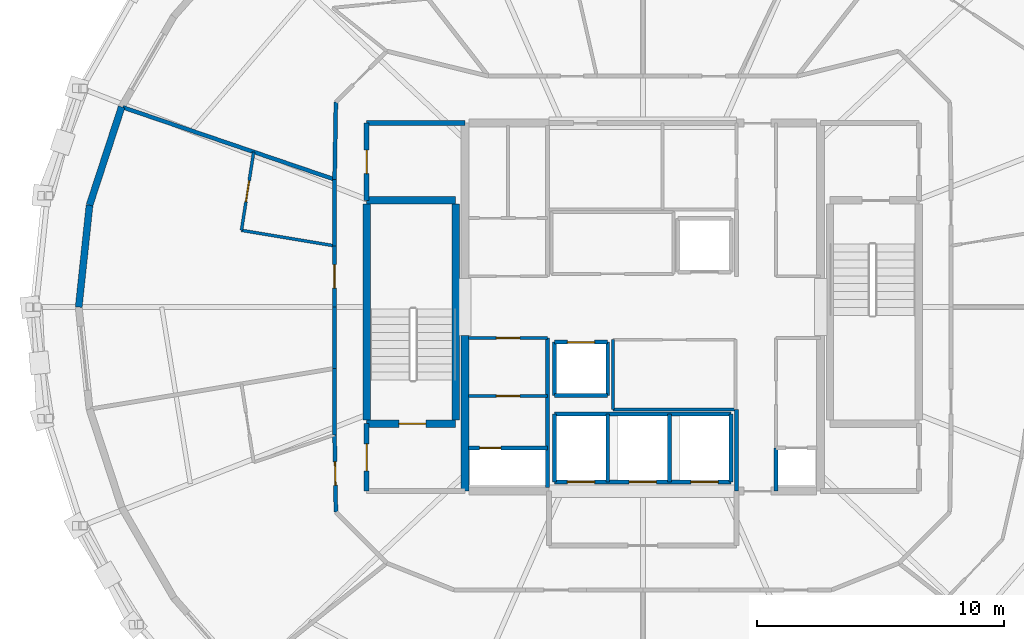
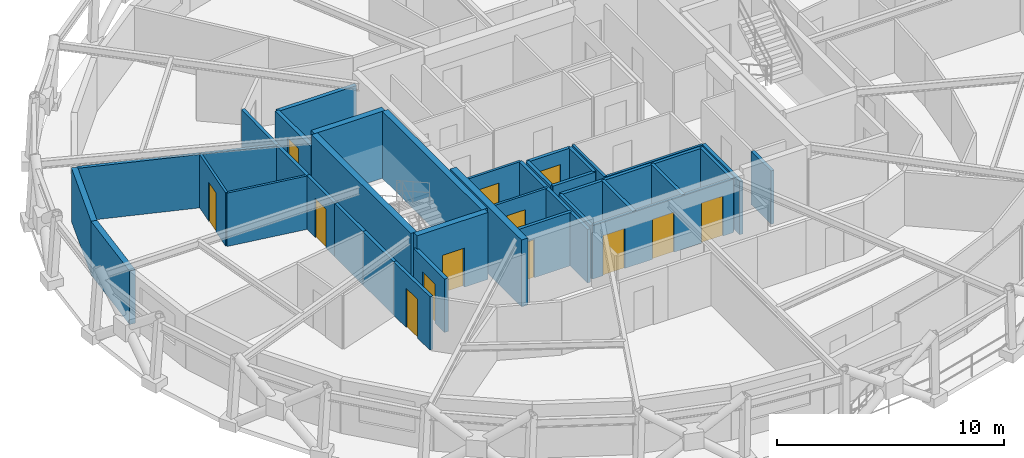
# One storey, part 13 of 17: 37 walls, 13 doors, 13 openings.
"""IFC4 building model written with IfcOpenShell, lengths in metres."""

import ifcopenshell
import ifcopenshell.guid

model = None  # the IFC model being written
_history = None  # IfcOwnerHistory: only IFC2X3 demands one
_inside = {}  # id of a spatial element -> (the spatial element, [elements in it])
_under = {}  # id of a project, library or spatial element -> (it, [spatial elements below it])
_declared = {}  # id of a project -> (the project, [libraries it declares])
_typed = {}  # id of a type object -> (the type object, [elements of that type])
_made_of = {}  # id of a material, layer set ... -> (it, [elements and type objects made of it])


def new_model(schema):
    """Start an empty IFC model of exactly this schema.

    Asked for "IFC4X3", IfcOpenShell would pick the latest addendum, in which some entities
    have other attributes; the version numbers below select the first issue.
    IFC2X3 requires an IfcOwnerHistory on every rooted entity: one is made here for all.
    """
    global model, _history
    if schema == "IFC4X3":
        model = ifcopenshell.file(schema_version=(4, 3, 0, 0))
    else:
        model = ifcopenshell.file(schema=schema)
    _inside.clear()
    _under.clear()
    _declared.clear()
    _typed.clear()
    _made_of.clear()
    _history = None
    if model.schema == "IFC2X3":
        org = make("IfcOrganization", Name="unknown")
        user = make(
            "IfcPersonAndOrganization",
            ThePerson=make("IfcPerson", FamilyName="unknown"),
            TheOrganization=org,
        )
        app = make(
            "IfcApplication",
            ApplicationDeveloper=org,
            Version="unknown",
            ApplicationFullName="unknown",
            ApplicationIdentifier="unknown",
        )
        _history = make(
            "IfcOwnerHistory",
            OwningUser=user,
            OwningApplication=app,
            ChangeAction="ADDED",
            CreationDate=0,
        )
    return model


def make(cls, **values):
    """One entity of the class cls with the attributes given. An attribute that is None is left unset."""
    return model.create_entity(
        cls, **{name: value for name, value in values.items() if value is not None}
    )


def rooted(cls, **values):
    """An entity with a GlobalId (a new one), such as an element, a storey or a relation."""
    return make(cls, GlobalId=ifcopenshell.guid.new(), OwnerHistory=_history, **values)


def si_unit(unit_type, name, prefix=None):
    """IfcSIUnit, for example si_unit("LENGTHUNIT", "METRE", prefix="MILLI")."""
    return make("IfcSIUnit", UnitType=unit_type, Prefix=prefix, Name=name)


def assignment(units):
    """IfcUnitAssignment: the units of a project."""
    return None if units is None else make("IfcUnitAssignment", Units=units)


def point(xyz):
    """IfcCartesianPoint."""
    return None if xyz is None else make("IfcCartesianPoint", Coordinates=xyz)


def direction(xyz):
    """IfcDirection."""
    return None if xyz is None else make("IfcDirection", DirectionRatios=xyz)


def frame(location, z_axis=None, x_axis=None):
    """IfcAxis2Placement3D, a coordinate frame: its origin and axes. An axis left out is left unset."""
    return make(
        "IfcAxis2Placement3D",
        Location=point(location),
        Axis=direction(z_axis),
        RefDirection=direction(x_axis),
    )


def frame_2d(location, x_axis=None):
    """IfcAxis2Placement2D, a coordinate frame in the plane: its origin and x axis."""
    return make(
        "IfcAxis2Placement2D", Location=point(location), RefDirection=direction(x_axis)
    )


def origin():
    """The frame at (0, 0, 0) with its axes left unset."""
    return frame((0.0, 0.0, 0.0))


def place(relative_to, where):
    """IfcLocalPlacement: puts the frame where relative to a parent placement (None: the world)."""
    return make(
        "IfcLocalPlacement", PlacementRelTo=relative_to, RelativePlacement=where
    )


def context(
    kind, dimensions, precision=None, world=None, true_north=None, identifier=None
):
    """IfcGeometricRepresentationContext, for example the 3D "Model" context."""
    return make(
        "IfcGeometricRepresentationContext",
        ContextIdentifier=identifier,
        ContextType=kind,
        CoordinateSpaceDimension=dimensions,
        Precision=precision,
        WorldCoordinateSystem=world,
        TrueNorth=true_north,
    )


def subcontext(parent, identifier, kind, view, scale=None):
    """IfcGeometricRepresentationSubContext, for example "Body" below "Model"."""
    return make(
        "IfcGeometricRepresentationSubContext",
        ContextIdentifier=identifier,
        ContextType=kind,
        ParentContext=parent,
        TargetScale=scale,
        TargetView=view,
    )


def project(units=None, contexts=None):
    """IfcProject with its units and contexts."""
    return rooted(
        "IfcProject",
        Name="project",
        RepresentationContexts=contexts,
        UnitsInContext=assignment(units),
    )


def spatial(cls, under=None, at=None, **own):
    """A site, building, storey or space (cls), placed at a placement, below another one or the project."""
    s = rooted(cls, ObjectPlacement=at, **own)
    if under is not None:
        _under.setdefault(under.id(), (under, []))[1].append(s)
    return s


def profile(cls, at=None, kind="AREA", **sizes):
    """A parametric profile (cls). Its sizes go by their IFC names, for example OverallWidth=200.0."""
    return make(cls, ProfileType=kind, Position=at, **sizes)


def rectangle(**sizes):
    """IfcRectangleProfileDef."""
    return profile("IfcRectangleProfileDef", **sizes)


def extrude(swept, where, along, depth):
    """IfcExtrudedAreaSolid: the profile swept, set in the frame where, extruded along a direction by depth."""
    return make(
        "IfcExtrudedAreaSolid",
        SweptArea=swept,
        Position=where,
        ExtrudedDirection=direction(along),
        Depth=depth,
    )


def shape(context_of_items, identifier, shape_type, items):
    """IfcShapeRepresentation: the items that make up one representation, for example the "Body"."""
    return make(
        "IfcShapeRepresentation",
        ContextOfItems=context_of_items,
        RepresentationIdentifier=identifier,
        RepresentationType=shape_type,
        Items=items,
    )


def material(Name=None, Category=None):
    """IfcMaterial."""
    return make("IfcMaterial", Name=Name, Category=Category)


def layer(
    of_material, thickness, ventilated=None, Name=None, Category=None, Priority=None
):
    """IfcMaterialLayer: one layer of a wall or slab, of a material (None: an air gap)."""
    return make(
        "IfcMaterialLayer",
        Material=of_material,
        LayerThickness=thickness,
        IsVentilated=ventilated,
        Name=Name,
        Category=Category,
        Priority=Priority,
    )


def layer_set(layers, Name=None):
    """IfcMaterialLayerSet."""
    return make("IfcMaterialLayerSet", MaterialLayers=layers, LayerSetName=Name)


def made_of(thing, what):
    """Note that an element or type object is made of a material, layer set ...; save() writes the relation."""
    if what is not None:
        _made_of.setdefault(what.id(), (what, []))[1].append(thing)
    return thing


def type_object(cls, material=None, **own):
    """A type object (cls), such as IfcWallType, which elements share."""
    return made_of(rooted(cls, **own), material)


def element(
    cls,
    number,
    at=None,
    inside=None,
    cuts=None,
    type_object=None,
    material=None,
    context=None,
    identifier="Body",
    shape_type=None,
    held_by="IfcProductDefinitionShape",
    body=None,
    shapes=None,
    **own,
):
    """One element of the class cls, such as IfcWall. Its Tag is "e" and its number.

    at: its placement. inside: the storey or other place that contains it. cuts: it is an
    opening in that element (IfcRelVoidsElement). A single representation is given by context,
    identifier, shape_type and body (its items); several are given by shapes. held_by: the class
    of the entity that holds the representations. save() writes the other relations.
    """
    e = rooted(cls, Tag="e%d" % number, ObjectPlacement=at, **own)
    if body is not None:
        shapes = [shape(context, identifier, shape_type, body)]
    if shapes is not None:
        e.Representation = make(held_by, Representations=shapes)
    if inside is not None:
        _inside.setdefault(inside.id(), (inside, []))[1].append(e)
    if cuts is not None:
        rooted(
            "IfcRelVoidsElement", RelatingBuildingElement=cuts, RelatedOpeningElement=e
        )
    if type_object is not None:
        _typed.setdefault(type_object.id(), (type_object, []))[1].append(e)
    return made_of(e, material)


def fill(opening, filler):
    """IfcRelFillsElement: the door or window that sits in an opening."""
    return rooted(
        "IfcRelFillsElement",
        RelatingOpeningElement=opening,
        RelatedBuildingElement=filler,
    )


def aggregate(whole, parts):
    """IfcRelAggregates: a whole, such as a stair, and the parts it consists of."""
    return rooted("IfcRelAggregates", RelatingObject=whole, RelatedObjects=parts)


def save(model, path):
    """Write the relations noted so far, then the file.

    IfcRelAggregates (storeys below a building ...), IfcRelContainedInSpatialStructure (elements
    in a storey), IfcRelDefinesByType, IfcRelAssociatesMaterial and IfcRelDeclares: one each for
    every whole, place, type object, material and project.
    """
    for whole, parts in _under.values():
        aggregate(whole, parts)
    for where, things in _inside.values():
        rooted(
            "IfcRelContainedInSpatialStructure",
            RelatedElements=things,
            RelatingStructure=where,
        )
    for kind, things in _typed.values():
        rooted("IfcRelDefinesByType", RelatedObjects=things, RelatingType=kind)
    for what, things in _made_of.values():
        rooted("IfcRelAssociatesMaterial", RelatedObjects=things, RelatingMaterial=what)
    for by, libraries in _declared.values():
        rooted("IfcRelDeclares", RelatingContext=by, RelatedDefinitions=libraries)
    model.write(path)


model = new_model("IFC4")

# Units and contexts
model_context = context("Model", 3, precision=1e-05, world=origin(), true_north=direction((0.0, 1.0)))
body_context = subcontext(model_context, "Body", "Model", "MODEL_VIEW")
ifc_project = project(units=[si_unit("LENGTHUNIT", "METRE"), si_unit("AREAUNIT", "SQUARE_METRE"), si_unit("VOLUMEUNIT", "CUBIC_METRE"), si_unit("PLANEANGLEUNIT", "RADIAN"), si_unit("MASSUNIT", "GRAM", prefix="KILO")], contexts=[model_context])

# Site, building, storey
site_placement = place(None, origin())
site = spatial("IfcSite", under=ifc_project, at=site_placement, CompositionType="ELEMENT")
building_placement = place(site_placement, origin())
building = spatial("IfcBuilding", under=site, at=building_placement, Name="Veldorina Hangang Commons", CompositionType="ELEMENT")
storey_placement = place(building_placement, frame((0.0, 0.0, 225.60009765625)))
storey = spatial("IfcBuildingStorey", under=building, at=storey_placement, Name="L58", CompositionType="ELEMENT", Elevation=225.60009765625)

# Walls
ifc_material_1 = material(Name="Concrete C50/60", Category="concrete")
ifc_layer_1 = layer(ifc_material_1, 0.320068359375)
ifc_layer_set_1 = layer_set([ifc_layer_1], Name="Concrete C50/60")
wall_type_1 = type_object("IfcWallType", Name="CW-RC320-C50", PredefinedType="SHEAR", material=ifc_layer_set_1)
wall_1_placement = place(storey_placement, frame((24.800048828125, 16.550048828125, 0.0), z_axis=(0.0, 0.0, 1.0), x_axis=(0.0, 1.0, 0.0)))
element("IfcWall", 1, at=wall_1_placement, inside=storey, type_object=wall_type_1, Name="L58 W south core shear wall", PredefinedType="SHEAR", context=body_context, shape_type="SweptSolid", body=[
    extrude(rectangle(XDim=6.300048828125, YDim=0.320068359375, at=frame_2d((3.14990234375, 0.0))), origin(), (0.0, 0.0, 1.0), 3.599853515625),
])
ifc_material_2 = material(Name="Stone Roman Travertine", Category="masonry")
ifc_layer_2 = layer(ifc_material_2, 0.280029296875)
ifc_layer_set_2 = layer_set([ifc_layer_2], Name="Stone Roman Travertine")
wall_type_2 = type_object("IfcWallType", Name="EW-TRAV-280", PredefinedType="STANDARD", material=ifc_layer_set_2)
wall_2_placement = place(storey_placement, frame((10.89794921875, 32.106201171875, 0.0), z_axis=(0.0, 0.0, 1.0), x_axis=(-0.310844369952, -0.950460823848, 0.0)))
element("IfcWall", 2, at=wall_2_placement, inside=storey, type_object=wall_type_2, Name="L58 travertine facade wall 14", PredefinedType="STANDARD", context=body_context, shape_type="SweptSolid", body=[
    extrude(rectangle(XDim=4.1806640625, YDim=0.280029296875, at=frame_2d((2.09033203125, 0.0))), origin(), (0.0, 0.0, 1.0), 2.8798828125),
])
wall_3_placement = place(storey_placement, frame((9.598388671875, 28.132568359375, 0.0), z_axis=(0.0, 0.0, 1.0), x_axis=(-0.105626616613, -0.99440586174, 0.0)))
element("IfcWall", 3, at=wall_3_placement, inside=storey, type_object=wall_type_2, Name="L58 travertine facade wall 15", PredefinedType="STANDARD", context=body_context, shape_type="SweptSolid", body=[
    extrude(rectangle(XDim=4.15576171875, YDim=0.280029296875, at=frame_2d((2.077880859375, 0.0))), origin(), (0.0, 0.0, 1.0), 2.8798828125),
])
ifc_layer_3 = layer(ifc_material_1, 0.300048828125)
ifc_layer_set_3 = layer_set([ifc_layer_3], Name="Concrete C50/60")
wall_type_3 = type_object("IfcWallType", Name="SW-STAIR-300", PredefinedType="SHEAR", material=ifc_layer_set_3)
for number, where, z_axis, x_axis, name in (
    (4, (20.820068359375, 19.429931640625, 0.0), (0.0, 0.0, 1.0), (0.0, 1.0, 0.0), "L58 ST1 outer stair shear wall"),
    (5, (24.419921875, 19.429931640625, 0.0), (0.0, 0.0, 1.0), (0.0, 1.0, 0.0), "L58 ST1 inner stair shear wall"),
):
    element("IfcWall", number, at=place(storey_placement, frame(where, z_axis=z_axis, x_axis=x_axis)), inside=storey, type_object=wall_type_3, Name=name, PredefinedType="SHEAR", context=body_context, shape_type="SweptSolid", body=[
        extrude(rectangle(XDim=8.739990234375, YDim=0.300048828125, at=frame_2d((4.3701171875, 0.0))), origin(), (0.0, 0.0, 1.0), 3.599853515625),
    ])

# Wall, opening, door
wall_4_placement = place(storey_placement, frame((20.820068359375, 19.280029296875, 0.0), z_axis=(0.0, 0.0, 1.0), x_axis=(1.0, 0.0, 0.0)))
wall_4 = element("IfcWall", 6, at=wall_4_placement, inside=storey, type_object=wall_type_3, Name="L58 ST1 south stair shear wall", PredefinedType="SHEAR", context=body_context, shape_type="SweptSolid", body=[
    extrude(rectangle(XDim=3.599853515625, YDim=0.300048828125, at=frame_2d((1.7998046875, 0.0))), origin(), (0.0, 0.0, 1.0), 3.599853515625),
])
opening_1_placement = place(wall_4_placement, frame((1.300048828125, 0.0, 0.0)))
opening_1 = element("IfcOpeningElement", 7, at=opening_1_placement, cuts=wall_4, Name="Opening D-08", PredefinedType="OPENING", context=body_context, shape_type="SweptSolid", body=[
    extrude(rectangle(XDim=1.10009765625, YDim=2.10009765625, at=frame_2d((0.550048828125, 1.050048828125))), frame((0.0, 0.16015625, 0.0), z_axis=(0.0, -1.0, 0.0), x_axis=(1.0, 0.0, 0.0)), (0.0, 0.0, 1.0), 0.320068359375),
])
ifc_material_3 = material(Name="Steel Fire-Rated Smoke Seal", Category="steel")
door_type_1 = type_object("IfcDoorType", Name="DR-FIRE-1100", OperationType="SINGLE_SWING_RIGHT", PredefinedType="DOOR", material=ifc_material_3)
door_1_placement = place(opening_1_placement, origin())
door_1 = element("IfcDoor", 8, at=door_1_placement, inside=storey, type_object=door_type_1, Name="L58 Special Escape Stair ST-1 door", OperationType="SINGLE_SWING_LEFT", OverallHeight=2.10009765625, OverallWidth=1.10009765625, PredefinedType="DOOR", context=body_context, shape_type="SweptSolid", body=[
    extrude(rectangle(XDim=1.10009765625, YDim=2.10009765625, at=frame_2d((0.550048828125, 1.050048828125))), frame((0.0, 0.02490234375, 0.0), z_axis=(0.0, -1.0, 0.0), x_axis=(1.0, 0.0, 0.0)), (0.0, 0.0, 1.0), 0.050048828125),
])
fill(opening_1, door_1)

# Walls
wall_5_placement = place(storey_placement, frame((20.820068359375, 28.320068359375, 0.0), z_axis=(0.0, 0.0, 1.0), x_axis=(1.0, 0.0, 0.0)))
element("IfcWall", 9, at=wall_5_placement, inside=storey, type_object=wall_type_3, Name="L58 ST1 north stair shear wall", PredefinedType="SHEAR", context=body_context, shape_type="SweptSolid", body=[
    extrude(rectangle(XDim=3.599853515625, YDim=0.300048828125, at=frame_2d((1.7998046875, 0.0))), origin(), (0.0, 0.0, 1.0), 3.599853515625),
])
ifc_material_4 = material(Name="Gypsum Fire-Rated Twin Stud Wall", Category="gypsum")
ifc_layer_4 = layer(ifc_material_4, 0.159912109375)
ifc_layer_set_4 = layer_set([ifc_layer_4], Name="Gypsum Fire-Rated Twin Stud Wall")
wall_type_4 = type_object("IfcWallType", Name="WL-FIRE-160", PredefinedType="SOLIDWALL", material=ifc_layer_set_4)
wall_6_placement = place(storey_placement, frame((35.800048828125, 16.550048828125, 0.0), z_axis=(0.0, 0.0, 1.0), x_axis=(0.0, 1.0, 0.0)))
element("IfcWall", 10, at=wall_6_placement, inside=storey, type_object=wall_type_4, Name="L58 Lift passage SW wall 009", PredefinedType="SOLIDWALL", context=body_context, shape_type="SweptSolid", body=[
    extrude(rectangle(XDim=3.300048828125, YDim=0.159912109375, at=frame_2d((1.64990234375, 0.0))), origin(), (0.0, 0.0, 1.0), 2.869873046875),
])
wall_7_placement = place(storey_placement, frame((37.39990234375, 16.550048828125, 0.0), z_axis=(0.0, 0.0, 1.0), x_axis=(0.0, 1.0, 0.0)))
element("IfcWall", 11, at=wall_7_placement, inside=storey, type_object=wall_type_4, Name="L58 Lift passage SE stub 010", PredefinedType="SOLIDWALL", context=body_context, shape_type="SweptSolid", body=[
    extrude(rectangle(XDim=1.75, YDim=0.159912109375, at=frame_2d((0.875, 0.0))), origin(), (0.0, 0.0, 1.0), 2.869873046875),
])

# Wall, opening, door
wall_8_placement = place(storey_placement, frame((28.419921875, 22.580078125, 0.0), z_axis=(0.0, 0.0, 1.0), x_axis=(1.0, 0.0, 0.0)))
wall_8 = element("IfcWall", 12, at=wall_8_placement, inside=storey, type_object=wall_type_4, Name="L58 Shuttle-high front shaft wall 019", PredefinedType="SOLIDWALL", context=body_context, shape_type="SweptSolid", body=[
    extrude(rectangle(XDim=2.16015625, YDim=0.159912109375, at=frame_2d((1.080078125, 0.0))), origin(), (0.0, 0.0, 1.0), 2.869873046875),
])
opening_2_placement = place(wall_8_placement, frame((0.530029296875, 0.0, 0.0)))
opening_2 = element("IfcOpeningElement", 13, at=opening_2_placement, cuts=wall_8, Name="Opening LD-01", PredefinedType="OPENING", context=body_context, shape_type="SweptSolid", body=[
    extrude(rectangle(XDim=1.10009765625, YDim=2.14990234375, at=frame_2d((0.550048828125, 1.074951171875))), frame((0.0, 0.08984375, 0.0), z_axis=(0.0, -1.0, 0.0), x_axis=(1.0, 0.0, 0.0)), (0.0, 0.0, 1.0), 0.179931640625),
])
ifc_material_5 = material(Name="Stainless Steel Brushed Lift Door", Category="steel")
door_type_2 = type_object("IfcDoorType", Name="DR-LIFT-1100", OperationType="SLIDING_TO_LEFT", PredefinedType="DOOR", material=ifc_material_5)
door_2_placement = place(opening_2_placement, origin())
door_2 = element("IfcDoor", 14, at=door_2_placement, inside=storey, type_object=door_type_2, Name="L58 Lift PL-H2 landing door 007", OperationType="SLIDING_TO_LEFT", OverallHeight=2.14990234375, OverallWidth=1.10009765625, PredefinedType="DOOR", context=body_context, shape_type="SweptSolid", body=[
    extrude(rectangle(XDim=1.10009765625, YDim=2.14990234375, at=frame_2d((0.550048828125, 1.074951171875))), frame((0.0, 0.02490234375, 0.0), z_axis=(0.0, -1.0, 0.0), x_axis=(1.0, 0.0, 0.0)), (0.0, 0.0, 1.0), 0.050048828125),
])
fill(opening_2, door_2)

# Walls
for number, where, z_axis, x_axis, name in (
    (15, (28.419921875, 20.419921875, 0.0), (0.0, 0.0, 1.0), (1.0, 0.0, 0.0), "L58 Shuttle-high rear shaft wall 020"),
    (16, (28.419921875, 20.419921875, 0.0), (0.0, 0.0, 1.0), (0.0, 1.0, 0.0), "L58 PL-H2 west shaft wall 021"),
    (17, (30.580078125, 20.419921875, 0.0), (0.0, 0.0, 1.0), (0.0, 1.0, 0.0), "L58 PL-H2 east shaft wall 022"),
):
    element("IfcWall", number, at=place(storey_placement, frame(where, z_axis=z_axis, x_axis=x_axis)), inside=storey, type_object=wall_type_4, Name=name, PredefinedType="SOLIDWALL", context=body_context, shape_type="SweptSolid", body=[
        extrude(rectangle(XDim=2.16015625, YDim=0.159912109375, at=frame_2d((1.080078125, 0.0))), origin(), (0.0, 0.0, 1.0), 2.869873046875),
    ])

# Wall, openings, doors
wall_9_placement = place(storey_placement, frame((28.419921875, 16.919921875, 0.0), z_axis=(0.0, 0.0, 1.0), x_axis=(1.0, 0.0, 0.0)))
wall_9 = element("IfcWall", 18, at=wall_9_placement, inside=storey, type_object=wall_type_4, Name="L58 Emergency front shaft wall 023", PredefinedType="SOLIDWALL", context=body_context, shape_type="SweptSolid", body=[
    extrude(rectangle(XDim=7.16015625, YDim=0.159912109375, at=frame_2d((3.580078125, 0.0))), origin(), (0.0, 0.0, 1.0), 2.869873046875),
])
opening_3_placement = place(wall_9_placement, frame((0.530029296875, 0.0, 0.0)))
opening_3 = element("IfcOpeningElement", 19, at=opening_3_placement, cuts=wall_9, Name="Opening LD-03", PredefinedType="OPENING", context=body_context, shape_type="SweptSolid", body=[
    extrude(rectangle(XDim=1.10009765625, YDim=2.14990234375, at=frame_2d((0.550048828125, 1.074951171875))), frame((0.0, 0.08984375, 0.0), z_axis=(0.0, -1.0, 0.0), x_axis=(1.0, 0.0, 0.0)), (0.0, 0.0, 1.0), 0.179931640625),
])
opening_4_placement = place(wall_9_placement, frame((3.030029296875, 0.0, 0.0)))
opening_4 = element("IfcOpeningElement", 20, at=opening_4_placement, cuts=wall_9, Name="Opening LD-03", PredefinedType="OPENING", context=body_context, shape_type="SweptSolid", body=[
    extrude(rectangle(XDim=1.10009765625, YDim=2.14990234375, at=frame_2d((0.550048828125, 1.074951171875))), frame((0.0, 0.08984375, 0.0), z_axis=(0.0, -1.0, 0.0), x_axis=(1.0, 0.0, 0.0)), (0.0, 0.0, 1.0), 0.179931640625),
])
opening_5_placement = place(wall_9_placement, frame((5.530029296875, 0.0, 0.0)))
opening_5 = element("IfcOpeningElement", 21, at=opening_5_placement, cuts=wall_9, Name="Opening LD-03", PredefinedType="OPENING", context=body_context, shape_type="SweptSolid", body=[
    extrude(rectangle(XDim=1.10009765625, YDim=2.14990234375, at=frame_2d((0.550048828125, 1.074951171875))), frame((0.0, 0.08984375, 0.0), z_axis=(0.0, -1.0, 0.0), x_axis=(1.0, 0.0, 0.0)), (0.0, 0.0, 1.0), 0.179931640625),
])
ifc_material_6 = material(Name="Stainless Steel Firefighting Lift Door", Category="steel")
door_type_3 = type_object("IfcDoorType", Name="DR-LIFT-FF1100", OperationType="SLIDING_TO_RIGHT", PredefinedType="DOOR", material=ifc_material_6)
door_3_placement = place(opening_3_placement, origin())
door_3 = element("IfcDoor", 22, at=door_3_placement, inside=storey, type_object=door_type_3, Name="L58 Emergency lift FFL-1 landing door 008", OperationType="SLIDING_TO_RIGHT", OverallHeight=2.14990234375, OverallWidth=1.10009765625, PredefinedType="DOOR", context=body_context, shape_type="SweptSolid", body=[
    extrude(rectangle(XDim=1.10009765625, YDim=2.14990234375, at=frame_2d((0.550048828125, 1.074951171875))), frame((0.0, 0.02490234375, 0.0), z_axis=(0.0, -1.0, 0.0), x_axis=(1.0, 0.0, 0.0)), (0.0, 0.0, 1.0), 0.050048828125),
])
fill(opening_3, door_3)
door_4_placement = place(opening_4_placement, origin())
door_4 = element("IfcDoor", 23, at=door_4_placement, inside=storey, type_object=door_type_3, Name="L58 Emergency lift FFL-2 landing door 009", OperationType="SLIDING_TO_RIGHT", OverallHeight=2.14990234375, OverallWidth=1.10009765625, PredefinedType="DOOR", context=body_context, shape_type="SweptSolid", body=[
    extrude(rectangle(XDim=1.10009765625, YDim=2.14990234375, at=frame_2d((0.550048828125, 1.074951171875))), frame((0.0, 0.02490234375, 0.0), z_axis=(0.0, -1.0, 0.0), x_axis=(1.0, 0.0, 0.0)), (0.0, 0.0, 1.0), 0.050048828125),
])
fill(opening_4, door_4)
door_5_placement = place(opening_5_placement, origin())
door_5 = element("IfcDoor", 24, at=door_5_placement, inside=storey, type_object=door_type_3, Name="L58 Emergency lift EVL-1 landing door 010", OperationType="SLIDING_TO_RIGHT", OverallHeight=2.14990234375, OverallWidth=1.10009765625, PredefinedType="DOOR", context=body_context, shape_type="SweptSolid", body=[
    extrude(rectangle(XDim=1.10009765625, YDim=2.14990234375, at=frame_2d((0.550048828125, 1.074951171875))), frame((0.0, 0.02490234375, 0.0), z_axis=(0.0, -1.0, 0.0), x_axis=(1.0, 0.0, 0.0)), (0.0, 0.0, 1.0), 0.050048828125),
])
fill(opening_5, door_5)

# Walls
wall_10_placement = place(storey_placement, frame((28.419921875, 19.679931640625, 0.0), z_axis=(0.0, 0.0, 1.0), x_axis=(1.0, 0.0, 0.0)))
element("IfcWall", 25, at=wall_10_placement, inside=storey, type_object=wall_type_4, Name="L58 Emergency rear shaft wall 024", PredefinedType="SOLIDWALL", context=body_context, shape_type="SweptSolid", body=[
    extrude(rectangle(XDim=7.16015625, YDim=0.159912109375, at=frame_2d((3.580078125, 0.0))), origin(), (0.0, 0.0, 1.0), 2.869873046875),
])
for number, where, z_axis, x_axis, name in (
    (26, (28.419921875, 16.919921875, 0.0), (0.0, 0.0, 1.0), (0.0, 1.0, 0.0), "L58 FFL-1 west shaft wall 025"),
    (27, (30.580078125, 16.919921875, 0.0), (0.0, 0.0, 1.0), (0.0, 1.0, 0.0), "L58 FFL-1 east shaft wall 026"),
    (28, (33.080078125, 16.919921875, 0.0), (0.0, 0.0, 1.0), (0.0, 1.0, 0.0), "L58 FFL-2 east shaft wall 027"),
    (29, (35.580078125, 16.919921875, 0.0), (0.0, 0.0, 1.0), (0.0, 1.0, 0.0), "L58 EVL-1 east shaft wall 028"),
):
    element("IfcWall", number, at=place(storey_placement, frame(where, z_axis=z_axis, x_axis=x_axis)), inside=storey, type_object=wall_type_4, Name=name, PredefinedType="SOLIDWALL", context=body_context, shape_type="SweptSolid", body=[
        extrude(rectangle(XDim=2.760009765625, YDim=0.159912109375, at=frame_2d((1.3798828125, 0.0))), origin(), (0.0, 0.0, 1.0), 2.869873046875),
    ])

# Wall, opening, door
wall_11_placement = place(storey_placement, frame((24.949951171875, 18.300048828125, 0.0), z_axis=(0.0, 0.0, 1.0), x_axis=(1.0, 0.0, 0.0)))
wall_11 = element("IfcWall", 30, at=wall_11_placement, inside=storey, type_object=wall_type_4, Name="L58 Electrical riser wall 041", PredefinedType="SOLIDWALL", context=body_context, shape_type="SweptSolid", body=[
    extrude(rectangle(XDim=3.199951171875, YDim=0.159912109375, at=frame_2d((1.60009765625, 0.0))), origin(), (0.0, 0.0, 1.0), 2.869873046875),
])
opening_6_placement = place(wall_11_placement, frame((0.43994140625, 0.0, 0.0)))
opening_6 = element("IfcOpeningElement", 31, at=opening_6_placement, cuts=wall_11, Name="Opening D-12", PredefinedType="OPENING", context=body_context, shape_type="SweptSolid", body=[
    extrude(rectangle(XDim=0.860107421875, YDim=2.050048828125, at=frame_2d((0.43017578125, 1.02490234375))), frame((0.0, 0.08984375, 0.0), z_axis=(0.0, -1.0, 0.0), x_axis=(1.0, 0.0, 0.0)), (0.0, 0.0, 1.0), 0.179931640625),
])
ifc_material_7 = material(Name="Steel Insulated Riser Access", Category="steel")
door_type_4 = type_object("IfcDoorType", Name="DR-TRAP-860", OperationType="SINGLE_SWING_LEFT", PredefinedType="TRAPDOOR", material=ifc_material_7)
door_6_placement = place(opening_6_placement, origin())
door_6 = element("IfcDoor", 32, at=door_6_placement, inside=storey, type_object=door_type_4, Name="L58 Electrical riser access door 015", OperationType="SINGLE_SWING_LEFT", OverallHeight=2.050048828125, OverallWidth=0.860107421875, PredefinedType="TRAPDOOR", context=body_context, shape_type="SweptSolid", body=[
    extrude(rectangle(XDim=0.860107421875, YDim=2.050048828125, at=frame_2d((0.43017578125, 1.02490234375))), frame((0.0, 0.02490234375, 0.0), z_axis=(0.0, -1.0, 0.0), x_axis=(1.0, 0.0, 0.0)), (0.0, 0.0, 1.0), 0.050048828125),
])
fill(opening_6, door_6)

# Walls
wall_12_placement = place(storey_placement, frame((28.14990234375, 16.699951171875, 0.0), z_axis=(0.0, 0.0, 1.0), x_axis=(0.0, 1.0, 0.0)))
element("IfcWall", 33, at=wall_12_placement, inside=storey, type_object=wall_type_4, Name="L58 SW core inner wall 042", PredefinedType="SOLIDWALL", context=body_context, shape_type="SweptSolid", body=[
    extrude(rectangle(XDim=6.050048828125, YDim=0.159912109375, at=frame_2d((3.02490234375, 0.0))), origin(), (0.0, 0.0, 1.0), 2.869873046875),
])
wall_13_placement = place(storey_placement, frame((19.5732421875, 32.30322265625, 0.0), z_axis=(0.0, 0.0, 1.0), x_axis=(-0.016981035134, -0.999855811828, 0.0)))
element("IfcWall", 34, at=wall_13_placement, inside=storey, type_object=wall_type_4, Name="L58 Compact collar outer wall 13 067", PredefinedType="SOLIDWALL", context=body_context, shape_type="SweptSolid", body=[
    extrude(rectangle(XDim=3.13427734375, YDim=0.159912109375, at=frame_2d((1.567138671875, 0.0))), origin(), (0.0, 0.0, 1.0), 2.869873046875),
])
wall_14_placement = place(storey_placement, frame((19.52001953125, 29.16943359375, 0.0), z_axis=(0.0, 0.0, 1.0), x_axis=(0.0, -1.0, 0.0)))
element("IfcWall", 35, at=wall_14_placement, inside=storey, type_object=wall_type_4, Name="L58 Compact collar outer wall 14 068", PredefinedType="SOLIDWALL", context=body_context, shape_type="SweptSolid", body=[
    extrude(rectangle(XDim=2.68701171875, YDim=0.159912109375, at=frame_2d((1.343505859375, 0.0))), origin(), (0.0, 0.0, 1.0), 2.869873046875),
])

# Wall, opening, door
wall_15_placement = place(storey_placement, frame((19.52001953125, 26.482421875, 0.0), z_axis=(0.0, 0.0, 1.0), x_axis=(0.0, -1.0, 0.0)))
wall_15 = element("IfcWall", 36, at=wall_15_placement, inside=storey, type_object=wall_type_4, Name="L58 Compact collar outer wall 15 069", PredefinedType="SOLIDWALL", context=body_context, shape_type="SweptSolid", body=[
    extrude(rectangle(XDim=2.482421875, YDim=0.159912109375, at=frame_2d((1.2412109375, 0.0))), origin(), (0.0, 0.0, 1.0), 2.869873046875),
])
opening_7_placement = place(wall_15_placement, frame((0.76611328125, 0.0, 0.0)))
opening_7 = element("IfcOpeningElement", 37, at=opening_7_placement, cuts=wall_15, Name="Opening D-03", PredefinedType="OPENING", context=body_context, shape_type="SweptSolid", body=[
    extrude(rectangle(XDim=0.949951171875, YDim=2.10009765625, at=frame_2d((0.47509765625, 1.050048828125))), frame((0.0, 0.08984375, 0.0), z_axis=(0.0, -1.0, 0.0), x_axis=(1.0, 0.0, 0.0)), (0.0, 0.0, 1.0), 0.179931640625),
])
ifc_material_8 = material(Name="Timber Fire-Rated Entrance Core", Category="wood")
door_type_5 = type_object("IfcDoorType", Name="DR-UNIT-950", OperationType="SINGLE_SWING_RIGHT", PredefinedType="DOOR", material=ifc_material_8)
door_7_placement = place(opening_7_placement, origin())
door_7 = element("IfcDoor", 38, at=door_7_placement, inside=storey, type_object=door_type_5, Name="L58 Studio 6 entrance door 039", OperationType="SINGLE_SWING_LEFT", OverallHeight=2.10009765625, OverallWidth=0.949951171875, PredefinedType="DOOR", context=body_context, shape_type="SweptSolid", body=[
    extrude(rectangle(XDim=0.949951171875, YDim=2.10009765625, at=frame_2d((0.47509765625, 1.050048828125))), frame((0.0, 0.02490234375, 0.0), z_axis=(0.0, -1.0, 0.0), x_axis=(1.0, 0.0, 0.0)), (0.0, 0.0, 1.0), 0.050048828125),
])
fill(opening_7, door_7)

# Walls
wall_16_placement = place(storey_placement, frame((19.52001953125, 24.0, 0.0), z_axis=(0.0, 0.0, 1.0), x_axis=(0.0, -1.0, 0.0)))
element("IfcWall", 39, at=wall_16_placement, inside=storey, type_object=wall_type_4, Name="L58 Compact collar outer wall 16 070", PredefinedType="SOLIDWALL", context=body_context, shape_type="SweptSolid", body=[
    extrude(rectangle(XDim=2.482421875, YDim=0.159912109375, at=frame_2d((1.2412109375, 0.0))), origin(), (0.0, 0.0, 1.0), 2.869873046875),
])
wall_17_placement = place(storey_placement, frame((19.52001953125, 21.517578125, 0.0), z_axis=(0.0, 0.0, 1.0), x_axis=(0.0, -1.0, 0.0)))
element("IfcWall", 40, at=wall_17_placement, inside=storey, type_object=wall_type_4, Name="L58 Compact collar outer wall 17 071", PredefinedType="SOLIDWALL", context=body_context, shape_type="SweptSolid", body=[
    extrude(rectangle(XDim=2.68701171875, YDim=0.159912109375, at=frame_2d((1.343505859375, 0.0))), origin(), (0.0, 0.0, 1.0), 2.869873046875),
])

# Wall, opening, door
wall_18_placement = place(storey_placement, frame((19.52001953125, 18.83056640625, 0.0), z_axis=(0.0, 0.0, 1.0), x_axis=(0.016981035134, -0.999855811828, 0.0)))
wall_18 = element("IfcWall", 41, at=wall_18_placement, inside=storey, type_object=wall_type_4, Name="L58 Compact collar outer wall 18 072", PredefinedType="SOLIDWALL", context=body_context, shape_type="SweptSolid", body=[
    extrude(rectangle(XDim=3.13427734375, YDim=0.159912109375, at=frame_2d((1.567138671875, 0.0))), origin(), (0.0, 0.0, 1.0), 2.869873046875),
])
opening_8_placement = place(wall_18_placement, frame((1.09228515625, 0.0, 0.0)))
opening_8 = element("IfcOpeningElement", 42, at=opening_8_placement, cuts=wall_18, Name="Opening D-03", PredefinedType="OPENING", context=body_context, shape_type="SweptSolid", body=[
    extrude(rectangle(XDim=0.949951171875, YDim=2.10009765625, at=frame_2d((0.47509765625, 1.050048828125))), frame((0.0, 0.08984375, 0.0), z_axis=(0.0, -1.0, 0.0), x_axis=(1.0, 0.0, 0.0)), (0.0, 0.0, 1.0), 0.179931640625),
])
door_8_placement = place(opening_8_placement, origin())
door_8 = element("IfcDoor", 43, at=door_8_placement, inside=storey, type_object=door_type_5, Name="L58 Studio 7 entrance door 041", OperationType="SINGLE_SWING_LEFT", OverallHeight=2.10009765625, OverallWidth=0.949951171875, PredefinedType="DOOR", context=body_context, shape_type="SweptSolid", body=[
    extrude(rectangle(XDim=0.949951171875, YDim=2.10009765625, at=frame_2d((0.47509765625, 1.050048828125))), frame((0.0, 0.02490234375, 0.0), z_axis=(0.0, -1.0, 0.0), x_axis=(1.0, 0.0, 0.0)), (0.0, 0.0, 1.0), 0.050048828125),
])
fill(opening_8, door_8)

# Wall
wall_19_placement = place(storey_placement, frame((19.52001953125, 29.16943359375, 0.0), z_axis=(0.0, 0.0, 1.0), x_axis=(-0.946595836361, 0.322422583862, 0.0)))
element("IfcWall", 44, at=wall_19_placement, inside=storey, type_object=wall_type_4, Name="L58 Unit party wall 14 110", PredefinedType="SOLIDWALL", context=body_context, shape_type="SweptSolid", body=[
    extrude(rectangle(XDim=9.058349609375, YDim=0.159912109375, at=frame_2d((4.529296875, 0.0))), origin(), (0.0, 0.0, 1.0), 2.869873046875),
])

# Wall, opening, door
ifc_material_9 = material(Name="Concrete Blockwork Fire Wall C30/37", Category="masonry")
ifc_layer_5 = layer(ifc_material_9, 0.199951171875)
ifc_layer_set_5 = layer_set([ifc_layer_5], Name="Concrete Blockwork Fire Wall C30/37")
wall_type_5 = type_object("IfcWallType", Name="WL-FIRE-200", PredefinedType="SOLIDWALL", material=ifc_layer_set_5)
wall_20_placement = place(storey_placement, frame((20.820068359375, 16.550048828125, 0.0), z_axis=(0.0, 0.0, 1.0), x_axis=(0.0, 1.0, 0.0)))
wall_20 = element("IfcWall", 45, at=wall_20_placement, inside=storey, type_object=wall_type_5, Name="L58 West vestibule outer wall 001", PredefinedType="SOLIDWALL", context=body_context, shape_type="SweptSolid", body=[
    extrude(rectangle(XDim=2.72998046875, YDim=0.199951171875, at=frame_2d((1.364990234375, 0.0))), origin(), (0.0, 0.0, 1.0), 2.869873046875),
])
opening_9_placement = place(wall_20_placement, frame((0.81494140625, 0.0, 0.0)))
opening_9 = element("IfcOpeningElement", 46, at=opening_9_placement, cuts=wall_20, Name="Opening D-08", PredefinedType="OPENING", context=body_context, shape_type="SweptSolid", body=[
    extrude(rectangle(XDim=1.10009765625, YDim=2.10009765625, at=frame_2d((0.550048828125, 1.050048828125))), frame((0.0, 0.10986328125, 0.0), z_axis=(0.0, -1.0, 0.0), x_axis=(1.0, 0.0, 0.0)), (0.0, 0.0, 1.0), 0.219970703125),
])
door_9_placement = place(opening_9_placement, origin())
door_9 = element("IfcDoor", 47, at=door_9_placement, inside=storey, type_object=door_type_1, Name="L58 West vestibule west door 001", OperationType="SINGLE_SWING_LEFT", OverallHeight=2.10009765625, OverallWidth=1.10009765625, PredefinedType="DOOR", context=body_context, shape_type="SweptSolid", body=[
    extrude(rectangle(XDim=1.10009765625, YDim=2.10009765625, at=frame_2d((0.550048828125, 1.050048828125))), frame((0.0, 0.02490234375, 0.0), z_axis=(0.0, -1.0, 0.0), x_axis=(1.0, 0.0, 0.0)), (0.0, 0.0, 1.0), 0.050048828125),
])
fill(opening_9, door_9)

wall_21_placement = place(storey_placement, frame((20.820068359375, 28.320068359375, 0.0), z_axis=(0.0, 0.0, 1.0), x_axis=(0.0, 1.0, 0.0)))
wall_21 = element("IfcWall", 48, at=wall_21_placement, inside=storey, type_object=wall_type_5, Name="L58 NW core room outer wall 005", PredefinedType="SOLIDWALL", context=body_context, shape_type="SweptSolid", body=[
    extrude(rectangle(XDim=3.1298828125, YDim=0.199951171875, at=frame_2d((1.56494140625, 0.0))), origin(), (0.0, 0.0, 1.0), 2.869873046875),
])
opening_10_placement = place(wall_21_placement, frame((1.090087890625, 0.0, 0.0)))
opening_10 = element("IfcOpeningElement", 49, at=opening_10_placement, cuts=wall_21, Name="Opening D-04", PredefinedType="OPENING", context=body_context, shape_type="SweptSolid", body=[
    extrude(rectangle(XDim=0.949951171875, YDim=2.10009765625, at=frame_2d((0.47509765625, 1.050048828125))), frame((0.0, 0.10986328125, 0.0), z_axis=(0.0, -1.0, 0.0), x_axis=(1.0, 0.0, 0.0)), (0.0, 0.0, 1.0), 0.219970703125),
])
ifc_material_10 = material(Name="Timber Accessible Flush Leaf", Category="wood")
door_type_6 = type_object("IfcDoorType", Name="DR-ACC-950", OperationType="SINGLE_SWING_LEFT", PredefinedType="DOOR", material=ifc_material_10)
door_10_placement = place(opening_10_placement, origin())
door_10 = element("IfcDoor", 50, at=door_10_placement, inside=storey, type_object=door_type_6, Name="L58 NW core WC door 003", OperationType="SINGLE_SWING_LEFT", OverallHeight=2.10009765625, OverallWidth=0.949951171875, PredefinedType="DOOR", context=body_context, shape_type="SweptSolid", body=[
    extrude(rectangle(XDim=0.949951171875, YDim=2.10009765625, at=frame_2d((0.47509765625, 1.050048828125))), frame((0.0, 0.02490234375, 0.0), z_axis=(0.0, -1.0, 0.0), x_axis=(1.0, 0.0, 0.0)), (0.0, 0.0, 1.0), 0.050048828125),
])
fill(opening_10, door_10)

# Walls
wall_22_placement = place(storey_placement, frame((20.820068359375, 31.449951171875, 0.0), z_axis=(0.0, 0.0, 1.0), x_axis=(1.0, 0.0, 0.0)))
element("IfcWall", 51, at=wall_22_placement, inside=storey, type_object=wall_type_5, Name="L58 NW core room north wall 006", PredefinedType="SOLIDWALL", context=body_context, shape_type="SweptSolid", body=[
    extrude(rectangle(XDim=3.97998046875, YDim=0.199951171875, at=frame_2d((1.989990234375, 0.0))), origin(), (0.0, 0.0, 1.0), 2.869873046875),
])
ifc_material_11 = material(Name="Gypsum Acoustic Stud Partition", Category="gypsum")
ifc_layer_6 = layer(ifc_material_11, 0.1201171875)
ifc_layer_set_6 = layer_set([ifc_layer_6], Name="Gypsum Acoustic Stud Partition")
wall_type_6 = type_object("IfcWallType", Name="WL-PART-120", PredefinedType="PARTITIONING", material=ifc_layer_set_6)
wall_23_placement = place(storey_placement, frame((30.800048828125, 19.85009765625, 0.0), z_axis=(0.0, 0.0, 1.0), x_axis=(1.0, 0.0, 0.0)))
element("IfcWall", 52, at=wall_23_placement, inside=storey, type_object=wall_type_6, Name="L58 Merged shuttle south wall 038", PredefinedType="PARTITIONING", context=body_context, shape_type="SweptSolid", body=[
    extrude(rectangle(XDim=4.949951171875, YDim=0.1201171875, at=frame_2d((2.47509765625, 0.0))), origin(), (0.0, 0.0, 1.0), 2.869873046875),
])
wall_24_placement = place(storey_placement, frame((30.800048828125, 19.85009765625, 0.0), z_axis=(0.0, 0.0, 1.0), x_axis=(0.0, 1.0, 0.0)))
element("IfcWall", 53, at=wall_24_placement, inside=storey, type_object=wall_type_6, Name="L58 Merged shuttle west wall 039", PredefinedType="PARTITIONING", context=body_context, shape_type="SweptSolid", body=[
    extrude(rectangle(XDim=2.829833984375, YDim=0.1201171875, at=frame_2d((1.4150390625, 0.0))), origin(), (0.0, 0.0, 1.0), 2.869873046875),
])

# Wall, opening, door
wall_25_placement = place(storey_placement, frame((24.949951171875, 22.75, 0.0), z_axis=(0.0, 0.0, 1.0), x_axis=(1.0, 0.0, 0.0)))
wall_25 = element("IfcWall", 54, at=wall_25_placement, inside=storey, type_object=wall_type_6, Name="L58 SW service north wall 046", PredefinedType="PARTITIONING", context=body_context, shape_type="SweptSolid", body=[
    extrude(rectangle(XDim=3.199951171875, YDim=0.1201171875, at=frame_2d((1.60009765625, 0.0))), origin(), (0.0, 0.0, 1.0), 2.869873046875),
])
opening_11_placement = place(wall_25_placement, frame((1.125, 0.0, 0.0)))
opening_11 = element("IfcOpeningElement", 55, at=opening_11_placement, cuts=wall_25, Name="Opening D-02", PredefinedType="OPENING", context=body_context, shape_type="SweptSolid", body=[
    extrude(rectangle(XDim=0.949951171875, YDim=2.10009765625, at=frame_2d((0.47509765625, 1.050048828125))), frame((0.0, 0.070068359375, 0.0), z_axis=(0.0, -1.0, 0.0), x_axis=(1.0, 0.0, 0.0)), (0.0, 0.0, 1.0), 0.14013671875),
])
ifc_material_12 = material(Name="Timber Solid Core Acoustic", Category="wood")
door_type_7 = type_object("IfcDoorType", Name="DR-INT-950", OperationType="SINGLE_SWING_LEFT", PredefinedType="DOOR", material=ifc_material_12)
door_11_placement = place(opening_11_placement, origin())
door_11 = element("IfcDoor", 56, at=door_11_placement, inside=storey, type_object=door_type_7, Name="L58 Recycling room door 020", OperationType="SINGLE_SWING_RIGHT", OverallHeight=2.10009765625, OverallWidth=0.949951171875, PredefinedType="DOOR", context=body_context, shape_type="SweptSolid", body=[
    extrude(rectangle(XDim=0.949951171875, YDim=2.10009765625, at=frame_2d((0.47509765625, 1.050048828125))), frame((0.0, 0.02490234375, 0.0), z_axis=(0.0, -1.0, 0.0), x_axis=(1.0, 0.0, 0.0)), (0.0, 0.0, 1.0), 0.050048828125),
])
fill(opening_11, door_11)

wall_26_placement = place(storey_placement, frame((24.949951171875, 20.39990234375, 0.0), z_axis=(0.0, 0.0, 1.0), x_axis=(1.0, 0.0, 0.0)))
wall_26 = element("IfcWall", 57, at=wall_26_placement, inside=storey, type_object=wall_type_6, Name="L58 SW horizontal split 053", PredefinedType="PARTITIONING", context=body_context, shape_type="SweptSolid", body=[
    extrude(rectangle(XDim=3.199951171875, YDim=0.1201171875, at=frame_2d((1.60009765625, 0.0))), origin(), (0.0, 0.0, 1.0), 2.869873046875),
])
opening_12_placement = place(wall_26_placement, frame((1.125, 0.0, 0.0)))
opening_12 = element("IfcOpeningElement", 58, at=opening_12_placement, cuts=wall_26, Name="Opening D-02", PredefinedType="OPENING", context=body_context, shape_type="SweptSolid", body=[
    extrude(rectangle(XDim=0.949951171875, YDim=2.10009765625, at=frame_2d((0.47509765625, 1.050048828125))), frame((0.0, 0.070068359375, 0.0), z_axis=(0.0, -1.0, 0.0), x_axis=(1.0, 0.0, 0.0)), (0.0, 0.0, 1.0), 0.14013671875),
])
door_12_placement = place(opening_12_placement, origin())
door_12 = element("IfcDoor", 59, at=door_12_placement, inside=storey, type_object=door_type_7, Name="L58 Archive closet door 021", OperationType="SINGLE_SWING_LEFT", OverallHeight=2.10009765625, OverallWidth=0.949951171875, PredefinedType="DOOR", context=body_context, shape_type="SweptSolid", body=[
    extrude(rectangle(XDim=0.949951171875, YDim=2.10009765625, at=frame_2d((0.47509765625, 1.050048828125))), frame((0.0, 0.02490234375, 0.0), z_axis=(0.0, -1.0, 0.0), x_axis=(1.0, 0.0, 0.0)), (0.0, 0.0, 1.0), 0.050048828125),
])
fill(opening_12, door_12)

wall_27_placement = place(storey_placement, frame((16.24365234375, 30.285400390625, 0.0), z_axis=(0.0, 0.0, 1.0), x_axis=(-0.153660860634, -0.988123646063, 0.0)))
wall_27 = element("IfcWall", 60, at=wall_27_placement, inside=storey, type_object=wall_type_6, Name="L58 Studio 6 bath front wall 111", PredefinedType="PARTITIONING", context=body_context, shape_type="SweptSolid", body=[
    extrude(rectangle(XDim=3.214111328125, YDim=0.1201171875, at=frame_2d((1.60693359375, 0.0))), origin(), (0.0, 0.0, 1.0), 2.869873046875),
])
opening_13_placement = place(wall_27_placement, frame((1.177001953125, 0.0, 0.0)))
opening_13 = element("IfcOpeningElement", 61, at=opening_13_placement, cuts=wall_27, Name="Opening D-01", PredefinedType="OPENING", context=body_context, shape_type="SweptSolid", body=[
    extrude(rectangle(XDim=0.860107421875, YDim=2.10009765625, at=frame_2d((0.43017578125, 1.050048828125))), frame((0.0, 0.070068359375, 0.0), z_axis=(0.0, -1.0, 0.0), x_axis=(1.0, 0.0, 0.0)), (0.0, 0.0, 1.0), 0.14013671875),
])
ifc_material_13 = material(Name="Timber Moisture-Resistant Core", Category="wood")
door_type_8 = type_object("IfcDoorType", Name="DR-WET-860", OperationType="SINGLE_SWING_LEFT", PredefinedType="DOOR", material=ifc_material_13)
door_13_placement = place(opening_13_placement, origin())
door_13 = element("IfcDoor", 62, at=door_13_placement, inside=storey, type_object=door_type_8, Name="L58 Studio 6 bathroom door 038", OperationType="SINGLE_SWING_RIGHT", OverallHeight=2.10009765625, OverallWidth=0.860107421875, PredefinedType="DOOR", context=body_context, shape_type="SweptSolid", body=[
    extrude(rectangle(XDim=0.860107421875, YDim=2.10009765625, at=frame_2d((0.43017578125, 1.050048828125))), frame((0.0, 0.02490234375, 0.0), z_axis=(0.0, -1.0, 0.0), x_axis=(1.0, 0.0, 0.0)), (0.0, 0.0, 1.0), 0.050048828125),
])
fill(opening_13, door_13)

# Wall
wall_28_placement = place(storey_placement, frame((19.52001953125, 26.482421875, 0.0), z_axis=(0.0, 0.0, 1.0), x_axis=(-0.986454281504, 0.164036430415, 0.0)))
element("IfcWall", 63, at=wall_28_placement, inside=storey, type_object=wall_type_6, Name="L58 Studio 6 bath side wall 112", PredefinedType="PARTITIONING", context=body_context, shape_type="SweptSolid", body=[
    extrude(rectangle(XDim=3.822021484375, YDim=0.1201171875, at=frame_2d((1.9111328125, 0.0))), origin(), (0.0, 0.0, 1.0), 2.869873046875),
])

save(model, "model.ifc")
